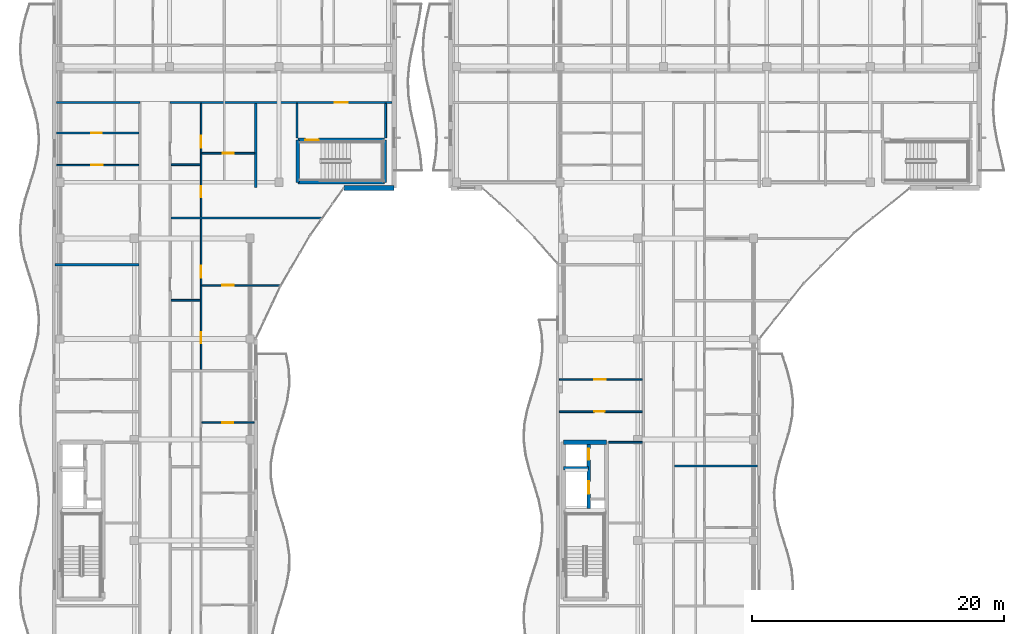
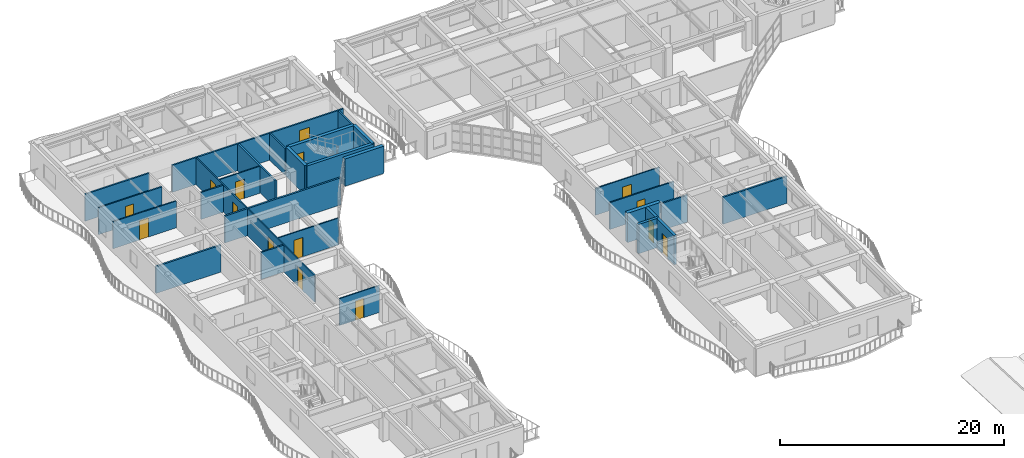
# One storey, part 50 of 89: 28 walls, 15 doors, 15 openings.
"""IFC4 building model written with IfcOpenShell, lengths in metres."""

from ifc_helpers import new_model, si_unit, direction, frame, frame_2d, origin, place, context, subcontext, project, spatial, rectangle, extrude, material, layer, layer_set, type_object, element, fill, save


model = new_model("IFC4")

# Units and contexts
model_context = context("Model", 3, precision=1e-05, world=origin(), true_north=direction((0.0, 1.0)))
body_context = subcontext(model_context, "Body", "Model", "MODEL_VIEW")
ifc_project = project(units=[si_unit("LENGTHUNIT", "METRE"), si_unit("AREAUNIT", "SQUARE_METRE"), si_unit("VOLUMEUNIT", "CUBIC_METRE"), si_unit("PLANEANGLEUNIT", "RADIAN"), si_unit("MASSUNIT", "GRAM", prefix="KILO")], contexts=[model_context])

# Site, building, storey
site_placement = place(None, origin())
site = spatial("IfcSite", under=ifc_project, at=site_placement, CompositionType="ELEMENT")
building_placement = place(site_placement, origin())
building = spatial("IfcBuilding", under=site, at=building_placement, Name="Keldmere Railside Commons", CompositionType="ELEMENT")
storey_placement = place(building_placement, frame((0.0, 0.0, 7.360107421875)))
storey = spatial("IfcBuildingStorey", under=building, at=storey_placement, Name="L02", CompositionType="ELEMENT", Elevation=7.360107421875)

# Walls
ifc_material_1 = material(Name="Acoustic Gypsum Board Partition", Category="gypsum")
ifc_layer_1 = layer(ifc_material_1, 0.179931640625, Name="Acoustic Demising Partition 180")
ifc_layer_set_1 = layer_set([ifc_layer_1], Name="Acoustic Gypsum Board Partition")
wall_type_1 = type_object("IfcWallType", Name="Acoustic Demising Partition 180", PredefinedType="PARTITIONING", material=ifc_layer_set_1)
wall_1_placement = place(storey_placement, frame((24.0, 100.050048828125, 0.0), z_axis=(0.0, 0.0, 1.0), x_axis=(0.0, 1.0, 0.0)))
element("IfcWall", 1, at=wall_1_placement, inside=storey, type_object=wall_type_1, Name="IW-1 IW-L02-0251", PredefinedType="PARTITIONING", context=body_context, shape_type="SweptSolid", body=[
    extrude(rectangle(XDim=6.669921875, YDim=0.179931640625, at=frame_2d((3.3349609375, 0.0))), origin(), (0.0, 0.0, 1.0), 2.934814453125),
])
wall_2_placement = place(storey_placement, frame((17.280029296875, 97.6201171875, 0.0), z_axis=(0.0, 0.0, 1.0), x_axis=(1.0, 0.0, 0.0)))
element("IfcWall", 2, at=wall_2_placement, inside=storey, type_object=wall_type_1, Name="IW-1 IW-L02-0256", PredefinedType="PARTITIONING", context=body_context, shape_type="SweptSolid", body=[
    extrude(rectangle(XDim=11.981201171875, YDim=0.179931640625, at=frame_2d((5.99072265625, 0.0))), origin(), (0.0, 0.0, 1.0), 2.934814453125),
])
wall_3_placement = place(storey_placement, frame((8.0400390625, 93.89990234375, 0.0), z_axis=(0.0, 0.0, 1.0), x_axis=(1.0, 0.0, 0.0)))
element("IfcWall", 3, at=wall_3_placement, inside=storey, type_object=wall_type_1, Name="IW-1 IW-L02-0278", PredefinedType="PARTITIONING", context=body_context, shape_type="SweptSolid", body=[
    extrude(rectangle(XDim=6.679931640625, YDim=0.179931640625, at=frame_2d((3.33984375, 0.0))), origin(), (0.0, 0.0, 1.0), 2.934814453125),
])
wall_4_placement = place(storey_placement, frame((57.280029296875, 77.909912109375, 0.0), z_axis=(0.0, 0.0, 1.0), x_axis=(1.0, 0.0, 0.0)))
element("IfcWall", 4, at=wall_4_placement, inside=storey, type_object=wall_type_1, Name="IW-1 IW-L02-0560", PredefinedType="PARTITIONING", context=body_context, shape_type="SweptSolid", body=[
    extrude(rectangle(XDim=6.599853515625, YDim=0.179931640625, at=frame_2d((3.2998046875, 0.0))), origin(), (0.0, 0.0, 1.0), 2.934814453125),
])

# Wall, opening, door
ifc_layer_2 = layer(ifc_material_1, 0.1201171875, Name="Apartment Interior Partition 120")
ifc_layer_set_2 = layer_set([ifc_layer_2], Name="Acoustic Gypsum Board Partition")
wall_type_2 = type_object("IfcWallType", Name="Apartment Interior Partition 120", PredefinedType="PARTITIONING", material=ifc_layer_set_2)
wall_5_placement = place(storey_placement, frame((19.719970703125, 81.35009765625, 0.0), z_axis=(0.0, 0.0, 1.0), x_axis=(1.0, 0.0, 0.0)))
wall_5 = element("IfcWall", 5, at=wall_5_placement, inside=storey, type_object=wall_type_2, Name="IW-4 IW-L02-0264", PredefinedType="PARTITIONING", context=body_context, shape_type="SweptSolid", body=[
    extrude(rectangle(XDim=4.150146484375, YDim=0.1201171875, at=frame_2d((2.0751953125, 0.0))), origin(), (0.0, 0.0, 1.0), 2.934814453125),
])
opening_1_placement = place(wall_5_placement, frame((1.635009765625, 0.0, 0.0)))
opening_1 = element("IfcOpeningElement", 6, at=opening_1_placement, cuts=wall_5, Name="Opening ID-02", PredefinedType="OPENING", context=body_context, shape_type="SweptSolid", body=[
    extrude(rectangle(XDim=0.8798828125, YDim=2.10009765625, at=frame_2d((0.43994140625, 1.050048828125))), frame((0.0, 0.070068359375, 0.0), z_axis=(0.0, -1.0, 0.0), x_axis=(1.0, 0.0, 0.0)), (0.0, 0.0, 1.0), 0.14013671875),
])
ifc_material_2 = material(Name="Engineered Oak Timber", Category="wood")
door_type_1 = type_object("IfcDoorType", Name="Secondary Bedroom Door 880x2100", OperationType="NOTDEFINED", PredefinedType="DOOR", material=ifc_material_2)
door_1_placement = place(opening_1_placement, origin())
door_1 = element("IfcDoor", 7, at=door_1_placement, inside=storey, type_object=door_type_1, Name="ID-02 IDR-L02-0169", OperationType="SINGLE_SWING_LEFT", OverallHeight=2.10009765625, OverallWidth=0.8798828125, PredefinedType="DOOR", context=body_context, shape_type="SweptSolid", body=[
    extrude(rectangle(XDim=0.8798828125, YDim=2.10009765625, at=frame_2d((0.43994140625, 1.050048828125))), frame((0.0, 0.02490234375, 0.0), z_axis=(0.0, -1.0, 0.0), x_axis=(1.0, 0.0, 0.0)), (0.0, 0.0, 1.0), 0.050048828125),
])
fill(opening_1, door_1)

# Wall, openings, doors
wall_6_placement = place(storey_placement, frame((19.659912109375, 85.580078125, 0.0), z_axis=(0.0, 0.0, 1.0), x_axis=(0.0, 1.0, 0.0)))
wall_6 = element("IfcWall", 8, at=wall_6_placement, inside=storey, type_object=wall_type_2, Name="IW-4 IW-L02-0265", PredefinedType="PARTITIONING", context=body_context, shape_type="SweptSolid", body=[
    extrude(rectangle(XDim=11.949951171875, YDim=0.1201171875, at=frame_2d((5.97509765625, 0.0))), origin(), (0.0, 0.0, 1.0), 2.934814453125),
])
opening_2_placement = place(wall_6_placement, frame((2.090087890625, 0.0, 0.0)))
opening_2 = element("IfcOpeningElement", 9, at=opening_2_placement, cuts=wall_6, Name="Opening ID-04", PredefinedType="OPENING", context=body_context, shape_type="SweptSolid", body=[
    extrude(rectangle(XDim=0.860107421875, YDim=2.10009765625, at=frame_2d((0.43017578125, 1.050048828125))), frame((0.0, 0.070068359375, 0.0), z_axis=(0.0, -1.0, 0.0), x_axis=(1.0, 0.0, 0.0)), (0.0, 0.0, 1.0), 0.14013671875),
])
opening_3_placement = place(wall_6_placement, frame((7.305908203125, 0.0, 0.0)))
opening_3 = element("IfcOpeningElement", 10, at=opening_3_placement, cuts=wall_6, Name="Opening ID-03", PredefinedType="OPENING", context=body_context, shape_type="SweptSolid", body=[
    extrude(rectangle(XDim=0.919921875, YDim=2.10009765625, at=frame_2d((0.4599609375, 1.050048828125))), frame((0.0, 0.070068359375, 0.0), z_axis=(0.0, -1.0, 0.0), x_axis=(1.0, 0.0, 0.0)), (0.0, 0.0, 1.0), 0.14013671875),
])
door_type_2 = type_object("IfcDoorType", Name="Apartment Bathroom Door 860x2100", OperationType="NOTDEFINED", PredefinedType="DOOR", material=ifc_material_2)
door_2_placement = place(opening_2_placement, origin())
door_2 = element("IfcDoor", 11, at=door_2_placement, inside=storey, type_object=door_type_2, Name="ID-04 IDR-L02-0170", OperationType="SINGLE_SWING_RIGHT", OverallHeight=2.10009765625, OverallWidth=0.860107421875, PredefinedType="DOOR", context=body_context, shape_type="SweptSolid", body=[
    extrude(rectangle(XDim=0.860107421875, YDim=2.10009765625, at=frame_2d((0.43017578125, 1.050048828125))), frame((0.0, 0.02490234375, 0.0), z_axis=(0.0, -1.0, 0.0), x_axis=(1.0, 0.0, 0.0)), (0.0, 0.0, 1.0), 0.050048828125),
])
fill(opening_2, door_2)
door_type_3 = type_object("IfcDoorType", Name="Kitchen Pocket-Frame Swing Door 920x2100", OperationType="NOTDEFINED", PredefinedType="DOOR", material=ifc_material_2)
door_3_placement = place(opening_3_placement, origin())
door_3 = element("IfcDoor", 12, at=door_3_placement, inside=storey, type_object=door_type_3, Name="ID-03 IDR-L02-0171", OperationType="SINGLE_SWING_LEFT", OverallHeight=2.10009765625, OverallWidth=0.919921875, PredefinedType="DOOR", context=body_context, shape_type="SweptSolid", body=[
    extrude(rectangle(XDim=0.919921875, YDim=2.10009765625, at=frame_2d((0.4599609375, 1.050048828125))), frame((0.0, 0.02490234375, 0.0), z_axis=(0.0, -1.0, 0.0), x_axis=(1.0, 0.0, 0.0)), (0.0, 0.0, 1.0), 0.050048828125),
])
fill(opening_3, door_3)

# Wall, opening, door
wall_7_placement = place(storey_placement, frame((19.719970703125, 92.27001953125, 0.0), z_axis=(0.0, 0.0, 1.0), x_axis=(1.0, 0.0, 0.0)))
wall_7 = element("IfcWall", 13, at=wall_7_placement, inside=storey, type_object=wall_type_2, Name="IW-4 IW-L02-0267", PredefinedType="PARTITIONING", context=body_context, shape_type="SweptSolid", body=[
    extrude(rectangle(XDim=6.244873046875, YDim=0.1201171875, at=frame_2d((3.12255859375, 0.0))), origin(), (0.0, 0.0, 1.0), 2.934814453125),
])
opening_4_placement = place(wall_7_placement, frame((1.625, 0.0, 0.0)))
opening_4 = element("IfcOpeningElement", 14, at=opening_4_placement, cuts=wall_7, Name="Opening ID-01", PredefinedType="OPENING", context=body_context, shape_type="SweptSolid", body=[
    extrude(rectangle(XDim=0.89990234375, YDim=2.10009765625, at=frame_2d((0.449951171875, 1.050048828125))), frame((0.0, 0.070068359375, 0.0), z_axis=(0.0, -1.0, 0.0), x_axis=(1.0, 0.0, 0.0)), (0.0, 0.0, 1.0), 0.14013671875),
])
door_type_4 = type_object("IfcDoorType", Name="Primary Bedroom Door 900x2100", OperationType="NOTDEFINED", PredefinedType="DOOR", material=ifc_material_2)
door_4_placement = place(opening_4_placement, origin())
door_4 = element("IfcDoor", 15, at=door_4_placement, inside=storey, type_object=door_type_4, Name="ID-01 IDR-L02-0173", OperationType="SINGLE_SWING_LEFT", OverallHeight=2.10009765625, OverallWidth=0.89990234375, PredefinedType="DOOR", context=body_context, shape_type="SweptSolid", body=[
    extrude(rectangle(XDim=0.89990234375, YDim=2.10009765625, at=frame_2d((0.449951171875, 1.050048828125))), frame((0.0, 0.02490234375, 0.0), z_axis=(0.0, -1.0, 0.0), x_axis=(1.0, 0.0, 0.0)), (0.0, 0.0, 1.0), 0.050048828125),
])
fill(opening_4, door_4)

# Wall, openings, doors
wall_8_placement = place(storey_placement, frame((19.659912109375, 97.7099609375, 0.0), z_axis=(0.0, 0.0, 1.0), x_axis=(0.0, 1.0, 0.0)))
wall_8 = element("IfcWall", 16, at=wall_8_placement, inside=storey, type_object=wall_type_2, Name="IW-4 IW-L02-0268", PredefinedType="PARTITIONING", context=body_context, shape_type="SweptSolid", body=[
    extrude(rectangle(XDim=9.010009765625, YDim=0.1201171875, at=frame_2d((4.5048828125, 0.0))), origin(), (0.0, 0.0, 1.0), 2.934814453125),
])
opening_5_placement = place(wall_8_placement, frame((1.5732421875, 0.0, 0.0)))
opening_5 = element("IfcOpeningElement", 17, at=opening_5_placement, cuts=wall_8, Name="Opening ID-04", PredefinedType="OPENING", context=body_context, shape_type="SweptSolid", body=[
    extrude(rectangle(XDim=0.860107421875, YDim=2.10009765625, at=frame_2d((0.43017578125, 1.050048828125))), frame((0.0, 0.070068359375, 0.0), z_axis=(0.0, -1.0, 0.0), x_axis=(1.0, 0.0, 0.0)), (0.0, 0.0, 1.0), 0.14013671875),
])
opening_6_placement = place(wall_8_placement, frame((5.503662109375, 0.0, 0.0)))
opening_6 = element("IfcOpeningElement", 18, at=opening_6_placement, cuts=wall_8, Name="Opening ID-03", PredefinedType="OPENING", context=body_context, shape_type="SweptSolid", body=[
    extrude(rectangle(XDim=0.919921875, YDim=2.10009765625, at=frame_2d((0.4599609375, 1.050048828125))), frame((0.0, 0.070068359375, 0.0), z_axis=(0.0, -1.0, 0.0), x_axis=(1.0, 0.0, 0.0)), (0.0, 0.0, 1.0), 0.14013671875),
])
door_5_placement = place(opening_5_placement, origin())
door_5 = element("IfcDoor", 19, at=door_5_placement, inside=storey, type_object=door_type_2, Name="ID-04 IDR-L02-0174", OperationType="SINGLE_SWING_RIGHT", OverallHeight=2.10009765625, OverallWidth=0.860107421875, PredefinedType="DOOR", context=body_context, shape_type="SweptSolid", body=[
    extrude(rectangle(XDim=0.860107421875, YDim=2.10009765625, at=frame_2d((0.43017578125, 1.050048828125))), frame((0.0, 0.02490234375, 0.0), z_axis=(0.0, -1.0, 0.0), x_axis=(1.0, 0.0, 0.0)), (0.0, 0.0, 1.0), 0.050048828125),
])
fill(opening_5, door_5)
door_6_placement = place(opening_6_placement, origin())
door_6 = element("IfcDoor", 20, at=door_6_placement, inside=storey, type_object=door_type_3, Name="ID-03 IDR-L02-0175", OperationType="SINGLE_SWING_LEFT", OverallHeight=2.10009765625, OverallWidth=0.919921875, PredefinedType="DOOR", context=body_context, shape_type="SweptSolid", body=[
    extrude(rectangle(XDim=0.919921875, YDim=2.10009765625, at=frame_2d((0.4599609375, 1.050048828125))), frame((0.0, 0.02490234375, 0.0), z_axis=(0.0, -1.0, 0.0), x_axis=(1.0, 0.0, 0.0)), (0.0, 0.0, 1.0), 0.050048828125),
])
fill(opening_6, door_6)

# Wall, opening, door
wall_9_placement = place(storey_placement, frame((19.719970703125, 102.760009765625, 0.0), z_axis=(0.0, 0.0, 1.0), x_axis=(1.0, 0.0, 0.0)))
wall_9 = element("IfcWall", 21, at=wall_9_placement, inside=storey, type_object=wall_type_2, Name="IW-4 IW-L02-0270", PredefinedType="PARTITIONING", context=body_context, shape_type="SweptSolid", body=[
    extrude(rectangle(XDim=4.18994140625, YDim=0.1201171875, at=frame_2d((2.094970703125, 0.0))), origin(), (0.0, 0.0, 1.0), 2.934814453125),
])
opening_7_placement = place(wall_9_placement, frame((1.64501953125, 0.0, 0.0)))
opening_7 = element("IfcOpeningElement", 22, at=opening_7_placement, cuts=wall_9, Name="Opening ID-01", PredefinedType="OPENING", context=body_context, shape_type="SweptSolid", body=[
    extrude(rectangle(XDim=0.89990234375, YDim=2.10009765625, at=frame_2d((0.449951171875, 1.050048828125))), frame((0.0, 0.070068359375, 0.0), z_axis=(0.0, -1.0, 0.0), x_axis=(1.0, 0.0, 0.0)), (0.0, 0.0, 1.0), 0.14013671875),
])
door_7_placement = place(opening_7_placement, origin())
door_7 = element("IfcDoor", 23, at=door_7_placement, inside=storey, type_object=door_type_4, Name="ID-01 IDR-L02-0177", OperationType="SINGLE_SWING_LEFT", OverallHeight=2.10009765625, OverallWidth=0.89990234375, PredefinedType="DOOR", context=body_context, shape_type="SweptSolid", body=[
    extrude(rectangle(XDim=0.89990234375, YDim=2.10009765625, at=frame_2d((0.449951171875, 1.050048828125))), frame((0.0, 0.02490234375, 0.0), z_axis=(0.0, -1.0, 0.0), x_axis=(1.0, 0.0, 0.0)), (0.0, 0.0, 1.0), 0.050048828125),
])
fill(opening_7, door_7)

wall_10_placement = place(storey_placement, frame((8.179931640625, 101.820068359375, 0.0), z_axis=(0.0, 0.0, 1.0), x_axis=(1.0, 0.0, 0.0)))
wall_10 = element("IfcWall", 24, at=wall_10_placement, inside=storey, type_object=wall_type_2, Name="IW-4 IW-L02-0281", PredefinedType="PARTITIONING", context=body_context, shape_type="SweptSolid", body=[
    extrude(rectangle(XDim=6.5400390625, YDim=0.1201171875, at=frame_2d((3.27001953125, 0.0))), origin(), (0.0, 0.0, 1.0), 2.934814453125),
])
opening_8_placement = place(wall_10_placement, frame((2.746826171875, 0.0, 0.0)))
opening_8 = element("IfcOpeningElement", 25, at=opening_8_placement, cuts=wall_10, Name="Opening ID-03", PredefinedType="OPENING", context=body_context, shape_type="SweptSolid", body=[
    extrude(rectangle(XDim=0.919921875, YDim=2.10009765625, at=frame_2d((0.4599609375, 1.050048828125))), frame((0.0, 0.070068359375, 0.0), z_axis=(0.0, -1.0, 0.0), x_axis=(1.0, 0.0, 0.0)), (0.0, 0.0, 1.0), 0.14013671875),
])
door_8_placement = place(opening_8_placement, origin())
door_8 = element("IfcDoor", 26, at=door_8_placement, inside=storey, type_object=door_type_3, Name="ID-03 IDR-L02-0193", OperationType="SINGLE_SWING_LEFT", OverallHeight=2.10009765625, OverallWidth=0.919921875, PredefinedType="DOOR", context=body_context, shape_type="SweptSolid", body=[
    extrude(rectangle(XDim=0.919921875, YDim=2.10009765625, at=frame_2d((0.4599609375, 1.050048828125))), frame((0.0, 0.02490234375, 0.0), z_axis=(0.0, -1.0, 0.0), x_axis=(1.0, 0.0, 0.0)), (0.0, 0.0, 1.0), 0.050048828125),
])
fill(opening_8, door_8)

wall_11_placement = place(storey_placement, frame((48.1201171875, 84.780029296875, 0.0), z_axis=(0.0, 0.0, 1.0), x_axis=(1.0, 0.0, 0.0)))
wall_11 = element("IfcWall", 27, at=wall_11_placement, inside=storey, type_object=wall_type_2, Name="IW-4 IW-L02-0589", PredefinedType="PARTITIONING", context=body_context, shape_type="SweptSolid", body=[
    extrude(rectangle(XDim=6.599853515625, YDim=0.1201171875, at=frame_2d((3.2998046875, 0.0))), origin(), (0.0, 0.0, 1.0), 2.934814453125),
])
opening_9_placement = place(wall_11_placement, frame((2.77197265625, 0.0, 0.0)))
opening_9 = element("IfcOpeningElement", 28, at=opening_9_placement, cuts=wall_11, Name="Opening ID-03", PredefinedType="OPENING", context=body_context, shape_type="SweptSolid", body=[
    extrude(rectangle(XDim=0.919921875, YDim=2.10009765625, at=frame_2d((0.4599609375, 1.050048828125))), frame((0.0, 0.070068359375, 0.0), z_axis=(0.0, -1.0, 0.0), x_axis=(1.0, 0.0, 0.0)), (0.0, 0.0, 1.0), 0.14013671875),
])
door_9_placement = place(opening_9_placement, origin())
door_9 = element("IfcDoor", 29, at=door_9_placement, inside=storey, type_object=door_type_3, Name="ID-03 IDR-L02-0484", OperationType="SINGLE_SWING_RIGHT", OverallHeight=2.10009765625, OverallWidth=0.919921875, PredefinedType="DOOR", context=body_context, shape_type="SweptSolid", body=[
    extrude(rectangle(XDim=0.919921875, YDim=2.10009765625, at=frame_2d((0.4599609375, 1.050048828125))), frame((0.0, 0.02490234375, 0.0), z_axis=(0.0, -1.0, 0.0), x_axis=(1.0, 0.0, 0.0)), (0.0, 0.0, 1.0), 0.050048828125),
])
fill(opening_9, door_9)

# Wall
ifc_material_3 = material(Name="Concrete H-35 (C35/45)", Category="concrete")
ifc_layer_3 = layer(ifc_material_3, 0.280029296875, Name="Core Shear Wall 280")
ifc_layer_set_3 = layer_set([ifc_layer_3], Name="Concrete H-35 (C35/45)")
wall_type_3 = type_object("IfcWallType", Name="Core Shear Wall 280", PredefinedType="SHEAR", material=ifc_layer_set_3)
wall_12_placement = place(storey_placement, frame((48.4599609375, 77.75, 0.0), z_axis=(0.0, 0.0, 1.0), x_axis=(1.0, 0.0, 0.0)))
element("IfcWall", 30, at=wall_12_placement, inside=storey, type_object=wall_type_3, Name="CSW-2 CORECL-L02-0227", PredefinedType="SHEAR", context=body_context, shape_type="SweptSolid", body=[
    extrude(rectangle(XDim=2.0, YDim=0.280029296875, at=frame_2d((1.0, 0.0))), origin(), (0.0, 0.0, 1.0), 3.199951171875),
])

# Wall, openings, doors
wall_13_placement = place(storey_placement, frame((50.4599609375, 74.550048828125, 0.0), z_axis=(0.0, 0.0, 1.0), x_axis=(0.0, 1.0, 0.0)))
wall_13 = element("IfcWall", 31, at=wall_13_placement, inside=storey, type_object=wall_type_3, Name="CSW-2 LSHC-L02-0228", PredefinedType="SHEAR", context=body_context, shape_type="SweptSolid", body=[
    extrude(rectangle(XDim=5.25, YDim=0.280029296875, at=frame_2d((2.625, 0.0))), origin(), (0.0, 0.0, 1.0), 3.199951171875),
])
opening_10_placement = place(wall_13_placement, frame((1.14990234375, 0.0, 0.0)))
opening_10 = element("IfcOpeningElement", 32, at=opening_10_placement, cuts=wall_13, Name="Opening LD-1", PredefinedType="OPENING", context=body_context, shape_type="SweptSolid", body=[
    extrude(rectangle(XDim=1.0, YDim=2.14990234375, at=frame_2d((0.5, 1.074951171875))), frame((0.0, 0.14990234375, 0.0), z_axis=(0.0, -1.0, 0.0), x_axis=(1.0, 0.0, 0.0)), (0.0, 0.0, 1.0), 0.300048828125),
])
opening_11_placement = place(wall_13_placement, frame((3.85009765625, 0.0, 0.0)))
opening_11 = element("IfcOpeningElement", 33, at=opening_11_placement, cuts=wall_13, Name="Opening LD-2", PredefinedType="OPENING", context=body_context, shape_type="SweptSolid", body=[
    extrude(rectangle(XDim=0.89990234375, YDim=2.14990234375, at=frame_2d((0.449951171875, 1.074951171875))), frame((0.0, 0.14990234375, 0.0), z_axis=(0.0, -1.0, 0.0), x_axis=(1.0, 0.0, 0.0)), (0.0, 0.0, 1.0), 0.300048828125),
])
ifc_material_4 = material(Name="Steel F-24 (S235)", Category="steel")
door_type_5 = type_object("IfcDoorType", Name="Firefighting Stretcher Lift Landing Door 1000x2150", OperationType="SLIDING_TO_LEFT", PredefinedType="DOOR", material=ifc_material_4)
door_10_placement = place(opening_10_placement, origin())
door_10 = element("IfcDoor", 34, at=door_10_placement, inside=storey, type_object=door_type_5, Name="LD-1 C L02", OperationType="SLIDING_TO_LEFT", OverallHeight=2.14990234375, OverallWidth=1.0, PredefinedType="DOOR", context=body_context, shape_type="SweptSolid", body=[
    extrude(rectangle(XDim=1.0, YDim=2.14990234375, at=frame_2d((0.5, 1.074951171875))), frame((0.0, 0.02490234375, 0.0), z_axis=(0.0, -1.0, 0.0), x_axis=(1.0, 0.0, 0.0)), (0.0, 0.0, 1.0), 0.050048828125),
])
fill(opening_10, door_10)
door_type_6 = type_object("IfcDoorType", Name="Passenger Lift Sliding Landing Door 900x2150", OperationType="SLIDING_TO_RIGHT", PredefinedType="DOOR", material=ifc_material_4)
door_11_placement = place(opening_11_placement, origin())
door_11 = element("IfcDoor", 35, at=door_11_placement, inside=storey, type_object=door_type_6, Name="LD-2 C L02", OperationType="SLIDING_TO_RIGHT", OverallHeight=2.14990234375, OverallWidth=0.89990234375, PredefinedType="DOOR", context=body_context, shape_type="SweptSolid", body=[
    extrude(rectangle(XDim=0.89990234375, YDim=2.14990234375, at=frame_2d((0.449951171875, 1.074951171875))), frame((0.0, 0.02490234375, 0.0), z_axis=(0.0, -1.0, 0.0), x_axis=(1.0, 0.0, 0.0)), (0.0, 0.0, 1.0), 0.050048828125),
])
fill(opening_11, door_11)

# Walls
ifc_material_5 = material(Name="Concrete H-40 (C40/50)", Category="concrete")
ifc_layer_4 = layer(ifc_material_5, 0.3798828125, Name="Core Shear Wall 380")
ifc_layer_set_4 = layer_set([ifc_layer_4], Name="Concrete H-40 (C40/50)")
wall_type_4 = type_object("IfcWallType", Name="Core Shear Wall 380", PredefinedType="SHEAR", material=ifc_layer_set_4)
wall_14_placement = place(storey_placement, frame((48.4599609375, 79.800048828125, 0.0), z_axis=(0.0, 0.0, 1.0), x_axis=(1.0, 0.0, 0.0)))
element("IfcWall", 36, at=wall_14_placement, inside=storey, type_object=wall_type_4, Name="CW-CORE CORECN-L02-0223", PredefinedType="SHEAR", context=body_context, shape_type="SweptSolid", body=[
    extrude(rectangle(XDim=3.41015625, YDim=0.3798828125, at=frame_2d((1.705078125, 0.0))), origin(), (0.0, 0.0, 1.0), 3.199951171875),
])
ifc_layer_5 = layer(ifc_material_1, 0.159912109375, Name="Corridor Fire Partition 160")
ifc_layer_set_5 = layer_set([ifc_layer_5], Name="Acoustic Gypsum Board Partition")
wall_type_5 = type_object("IfcWallType", Name="Corridor Fire Partition 160", PredefinedType="PARTITIONING", material=ifc_layer_set_5)
wall_15_placement = place(storey_placement, frame((8.179931640625, 106.800048828125, 0.0), z_axis=(0.0, 0.0, 1.0), x_axis=(1.0, 0.0, 0.0)))
element("IfcWall", 37, at=wall_15_placement, inside=storey, type_object=wall_type_5, Name="IW-2 IW-L02-0248", PredefinedType="PARTITIONING", context=body_context, shape_type="SweptSolid", body=[
    extrude(rectangle(XDim=6.6201171875, YDim=0.159912109375, at=frame_2d((3.31005859375, 0.0))), origin(), (0.0, 0.0, 1.0), 2.934814453125),
])

# Wall, opening, door
wall_16_placement = place(storey_placement, frame((17.199951171875, 106.800048828125, 0.0), z_axis=(0.0, 0.0, 1.0), x_axis=(1.0, 0.0, 0.0)))
wall_16 = element("IfcWall", 38, at=wall_16_placement, inside=storey, type_object=wall_type_5, Name="IW-2 IW-L02-0249", PredefinedType="PARTITIONING", context=body_context, shape_type="SweptSolid", body=[
    extrude(rectangle(XDim=17.6201171875, YDim=0.159912109375, at=frame_2d((8.81005859375, 0.0))), origin(), (0.0, 0.0, 1.0), 2.934814453125),
])
opening_12_placement = place(wall_16_placement, frame((13.074951171875, 0.0, 0.0)))
opening_12 = element("IfcOpeningElement", 39, at=opening_12_placement, cuts=wall_16, Name="Opening FD-1", PredefinedType="OPENING", context=body_context, shape_type="SweptSolid", body=[
    extrude(rectangle(XDim=1.050048828125, YDim=2.14990234375, at=frame_2d((0.52490234375, 1.074951171875))), frame((0.0, 0.08984375, 0.0), z_axis=(0.0, -1.0, 0.0), x_axis=(1.0, 0.0, 0.0)), (0.0, 0.0, 1.0), 0.179931640625),
])
door_type_7 = type_object("IfcDoorType", Name="Stair Core Fire Door 1050x2150", OperationType="NOTDEFINED", PredefinedType="DOOR", material=ifc_material_4)
door_12_placement = place(opening_12_placement, origin())
door_12 = element("IfcDoor", 40, at=door_12_placement, inside=storey, type_object=door_type_7, Name="FD-1 IDR-L02-0157", OperationType="SINGLE_SWING_LEFT", OverallHeight=2.14990234375, OverallWidth=1.050048828125, PredefinedType="DOOR", context=body_context, shape_type="SweptSolid", body=[
    extrude(rectangle(XDim=1.050048828125, YDim=2.14990234375, at=frame_2d((0.52490234375, 1.074951171875))), frame((0.0, 0.02490234375, 0.0), z_axis=(0.0, -1.0, 0.0), x_axis=(1.0, 0.0, 0.0)), (0.0, 0.0, 1.0), 0.050048828125),
])
fill(opening_12, door_12)

# Walls
ifc_layer_6 = layer(ifc_material_3, 0.360107421875, Name="Exterior Shear Wall 360")
ifc_layer_set_6 = layer_set([ifc_layer_6], Name="Concrete H-35 (C35/45)")
wall_type_6 = type_object("IfcWallType", Name="Exterior Shear Wall 360", PredefinedType="SHEAR", material=ifc_layer_set_6)
wall_17_placement = place(storey_placement, frame((35.0, 100.0, 0.0), z_axis=(0.0, 0.0, 1.0), x_axis=(-1.0, 0.0, 0.0)))
element("IfcWall", 41, at=wall_17_placement, inside=storey, type_object=wall_type_6, Name="ESW-1 EXTD-L02-0138", PredefinedType="SHEAR", context=body_context, shape_type="SweptSolid", body=[
    extrude(rectangle(XDim=4.0, YDim=0.360107421875, at=frame_2d((2.0, 0.0))), origin(), (0.0, 0.0, 1.0), 2.97998046875),
])
ifc_layer_7 = layer(ifc_material_3, 0.300048828125, Name="Interior Shear Wall 300")
ifc_layer_set_7 = layer_set([ifc_layer_7], Name="Concrete H-35 (C35/45)")
wall_type_7 = type_object("IfcWallType", Name="Interior Shear Wall 300", PredefinedType="SHEAR", material=ifc_layer_set_7)
wall_18_placement = place(storey_placement, frame((27.35009765625, 100.449951171875, 0.0), z_axis=(0.0, 0.0, 1.0), x_axis=(1.0, 0.0, 0.0)))
element("IfcWall", 42, at=wall_18_placement, inside=storey, type_object=wall_type_7, Name="ISW-2 CORED2S-L02-0059", PredefinedType="SHEAR", context=body_context, shape_type="SweptSolid", body=[
    extrude(rectangle(XDim=6.89990234375, YDim=0.300048828125, at=frame_2d((3.449951171875, 0.0))), origin(), (0.0, 0.0, 1.0), 3.199951171875),
])
for number, where, z_axis, x_axis, name in (
    (43, (27.35009765625, 103.820068359375, 0.0), (0.0, 0.0, 1.0), (0.0, -1.0, 0.0), "ISW-2 CORED2W-L02-0061"),
    (44, (34.25, 100.449951171875, 0.0), (0.0, 0.0, 1.0), (0.0, 1.0, 0.0), "ISW-2 CORED2E-L02-0062"),
):
    element("IfcWall", number, at=place(storey_placement, frame(where, z_axis=z_axis, x_axis=x_axis)), inside=storey, type_object=wall_type_7, Name=name, PredefinedType="SHEAR", context=body_context, shape_type="SweptSolid", body=[
        extrude(rectangle(XDim=3.3701171875, YDim=0.300048828125, at=frame_2d((1.68505859375, 0.0))), origin(), (0.0, 0.0, 1.0), 3.199951171875),
    ])

# Wall, opening, door
ifc_layer_8 = layer(ifc_material_3, 0.340087890625, Name="Interior Shear Wall 340")
ifc_layer_set_8 = layer_set([ifc_layer_8], Name="Concrete H-35 (C35/45)")
wall_type_8 = type_object("IfcWallType", Name="Interior Shear Wall 340", PredefinedType="SHEAR", material=ifc_layer_set_8)
wall_19_placement = place(storey_placement, frame((34.25, 103.820068359375, 0.0), z_axis=(0.0, 0.0, 1.0), x_axis=(-1.0, 0.0, 0.0)))
wall_19 = element("IfcWall", 45, at=wall_19_placement, inside=storey, type_object=wall_type_8, Name="ISW-1 CORED2N-L02-0060", PredefinedType="SHEAR", context=body_context, shape_type="SweptSolid", body=[
    extrude(rectangle(XDim=6.89990234375, YDim=0.340087890625, at=frame_2d((3.449951171875, 0.0))), origin(), (0.0, 0.0, 1.0), 3.199951171875),
])
opening_13_placement = place(wall_19_placement, frame((5.25, 0.0, 0.0)))
opening_13 = element("IfcOpeningElement", 46, at=opening_13_placement, cuts=wall_19, Name="Opening FD-1", PredefinedType="OPENING", context=body_context, shape_type="SweptSolid", body=[
    extrude(rectangle(XDim=1.050048828125, YDim=2.14990234375, at=frame_2d((0.52490234375, 1.074951171875))), frame((0.0, 0.179931640625, 0.0), z_axis=(0.0, -1.0, 0.0), x_axis=(1.0, 0.0, 0.0)), (0.0, 0.0, 1.0), 0.360107421875),
])
door_13_placement = place(opening_13_placement, origin())
door_13 = element("IfcDoor", 47, at=door_13_placement, inside=storey, type_object=door_type_7, Name="FD-1 D2 L02", OperationType="SINGLE_SWING_RIGHT", OverallHeight=2.14990234375, OverallWidth=1.050048828125, PredefinedType="DOOR", context=body_context, shape_type="SweptSolid", body=[
    extrude(rectangle(XDim=1.050048828125, YDim=2.14990234375, at=frame_2d((0.52490234375, 1.074951171875))), frame((0.0, 0.02490234375, 0.0), z_axis=(0.0, -1.0, 0.0), x_axis=(1.0, 0.0, 0.0)), (0.0, 0.0, 1.0), 0.050048828125),
])
fill(opening_13, door_13)

# Walls
ifc_layer_9 = layer(ifc_material_1, 0.14990234375, Name="Lobby Rated Partition 150")
ifc_layer_set_9 = layer_set([ifc_layer_9], Name="Acoustic Gypsum Board Partition")
wall_type_9 = type_object("IfcWallType", Name="Lobby Rated Partition 150", PredefinedType="PARTITIONING", material=ifc_layer_set_9)
for number, where, z_axis, x_axis, name in (
    (48, (27.280029296875, 103.989990234375, 0.0), (0.0, 0.0, 1.0), (0.0, 1.0, 0.0), "IW-3 IW-L02-0252"),
    (49, (34.320068359375, 103.989990234375, 0.0), (0.0, 0.0, 1.0), (0.0, 1.0, 0.0), "IW-3 IW-L02-0253"),
):
    element("IfcWall", number, at=place(storey_placement, frame(where, z_axis=z_axis, x_axis=x_axis)), inside=storey, type_object=wall_type_9, Name=name, PredefinedType="PARTITIONING", context=body_context, shape_type="SweptSolid", body=[
        extrude(rectangle(XDim=2.72998046875, YDim=0.14990234375, at=frame_2d((1.364990234375, 0.0))), origin(), (0.0, 0.0, 1.0), 2.934814453125),
    ])
wall_20_placement = place(storey_placement, frame((52.0400390625, 79.800048828125, 0.0), z_axis=(0.0, 0.0, 1.0), x_axis=(1.0, 0.0, 0.0)))
element("IfcWall", 50, at=wall_20_placement, inside=storey, type_object=wall_type_9, Name="IW-3 IW-L02-0549", PredefinedType="PARTITIONING", context=body_context, shape_type="SweptSolid", body=[
    extrude(rectangle(XDim=2.679931640625, YDim=0.14990234375, at=frame_2d((1.33984375, 0.0))), origin(), (0.0, 0.0, 1.0), 2.934814453125),
])
ifc_layer_10 = layer(ifc_material_1, 0.139892578125, Name="Wet-Room Sanitary Partition 140")
ifc_layer_set_10 = layer_set([ifc_layer_10], Name="Acoustic Gypsum Board Partition")
wall_type_10 = type_object("IfcWallType", Name="Wet-Room Sanitary Partition 140", PredefinedType="PARTITIONING", material=ifc_layer_set_10)
for number, where, z_axis, x_axis, name in (
    (51, (17.280029296875, 91.080078125, 0.0), (0.0, 0.0, 1.0), (1.0, 0.0, 0.0), "IW-5 IW-L02-0266"),
    (52, (17.280029296875, 101.85009765625, 0.0), (0.0, 0.0, 1.0), (1.0, 0.0, 0.0), "IW-5 IW-L02-0269"),
):
    element("IfcWall", number, at=place(storey_placement, frame(where, z_axis=z_axis, x_axis=x_axis)), inside=storey, type_object=wall_type_10, Name=name, PredefinedType="PARTITIONING", context=body_context, shape_type="SweptSolid", body=[
        extrude(rectangle(XDim=2.320068359375, YDim=0.139892578125, at=frame_2d((1.16015625, 0.0))), origin(), (0.0, 0.0, 1.0), 2.934814453125),
    ])

# Wall, opening, door
wall_21_placement = place(storey_placement, frame((8.179931640625, 104.3701171875, 0.0), z_axis=(0.0, 0.0, 1.0), x_axis=(1.0, 0.0, 0.0)))
wall_21 = element("IfcWall", 53, at=wall_21_placement, inside=storey, type_object=wall_type_10, Name="IW-5 IW-L02-0282", PredefinedType="PARTITIONING", context=body_context, shape_type="SweptSolid", body=[
    extrude(rectangle(XDim=6.5400390625, YDim=0.139892578125, at=frame_2d((3.27001953125, 0.0))), origin(), (0.0, 0.0, 1.0), 2.934814453125),
])
opening_14_placement = place(wall_21_placement, frame((2.746826171875, 0.0, 0.0)))
opening_14 = element("IfcOpeningElement", 54, at=opening_14_placement, cuts=wall_21, Name="Opening ID-04", PredefinedType="OPENING", context=body_context, shape_type="SweptSolid", body=[
    extrude(rectangle(XDim=0.860107421875, YDim=2.10009765625, at=frame_2d((0.43017578125, 1.050048828125))), frame((0.0, 0.079833984375, 0.0), z_axis=(0.0, -1.0, 0.0), x_axis=(1.0, 0.0, 0.0)), (0.0, 0.0, 1.0), 0.159912109375),
])
door_14_placement = place(opening_14_placement, origin())
door_14 = element("IfcDoor", 55, at=door_14_placement, inside=storey, type_object=door_type_2, Name="ID-04 IDR-L02-0192", OperationType="SINGLE_SWING_RIGHT", OverallHeight=2.10009765625, OverallWidth=0.860107421875, PredefinedType="DOOR", context=body_context, shape_type="SweptSolid", body=[
    extrude(rectangle(XDim=0.860107421875, YDim=2.10009765625, at=frame_2d((0.43017578125, 1.050048828125))), frame((0.0, 0.02490234375, 0.0), z_axis=(0.0, -1.0, 0.0), x_axis=(1.0, 0.0, 0.0)), (0.0, 0.0, 1.0), 0.050048828125),
])
fill(opening_14, door_14)

wall_22_placement = place(storey_placement, frame((48.1201171875, 82.22998046875, 0.0), z_axis=(0.0, 0.0, 1.0), x_axis=(1.0, 0.0, 0.0)))
wall_22 = element("IfcWall", 56, at=wall_22_placement, inside=storey, type_object=wall_type_10, Name="IW-5 IW-L02-0588", PredefinedType="PARTITIONING", context=body_context, shape_type="SweptSolid", body=[
    extrude(rectangle(XDim=6.599853515625, YDim=0.139892578125, at=frame_2d((3.2998046875, 0.0))), origin(), (0.0, 0.0, 1.0), 2.934814453125),
])
opening_15_placement = place(wall_22_placement, frame((2.77197265625, 0.0, 0.0)))
opening_15 = element("IfcOpeningElement", 57, at=opening_15_placement, cuts=wall_22, Name="Opening ID-04", PredefinedType="OPENING", context=body_context, shape_type="SweptSolid", body=[
    extrude(rectangle(XDim=0.860107421875, YDim=2.10009765625, at=frame_2d((0.43017578125, 1.050048828125))), frame((0.0, 0.079833984375, 0.0), z_axis=(0.0, -1.0, 0.0), x_axis=(1.0, 0.0, 0.0)), (0.0, 0.0, 1.0), 0.159912109375),
])
door_15_placement = place(opening_15_placement, origin())
door_15 = element("IfcDoor", 58, at=door_15_placement, inside=storey, type_object=door_type_2, Name="ID-04 IDR-L02-0483", OperationType="SINGLE_SWING_LEFT", OverallHeight=2.10009765625, OverallWidth=0.860107421875, PredefinedType="DOOR", context=body_context, shape_type="SweptSolid", body=[
    extrude(rectangle(XDim=0.860107421875, YDim=2.10009765625, at=frame_2d((0.43017578125, 1.050048828125))), frame((0.0, 0.02490234375, 0.0), z_axis=(0.0, -1.0, 0.0), x_axis=(1.0, 0.0, 0.0)), (0.0, 0.0, 1.0), 0.050048828125),
])
fill(opening_15, door_15)

save(model, "model.ifc")
